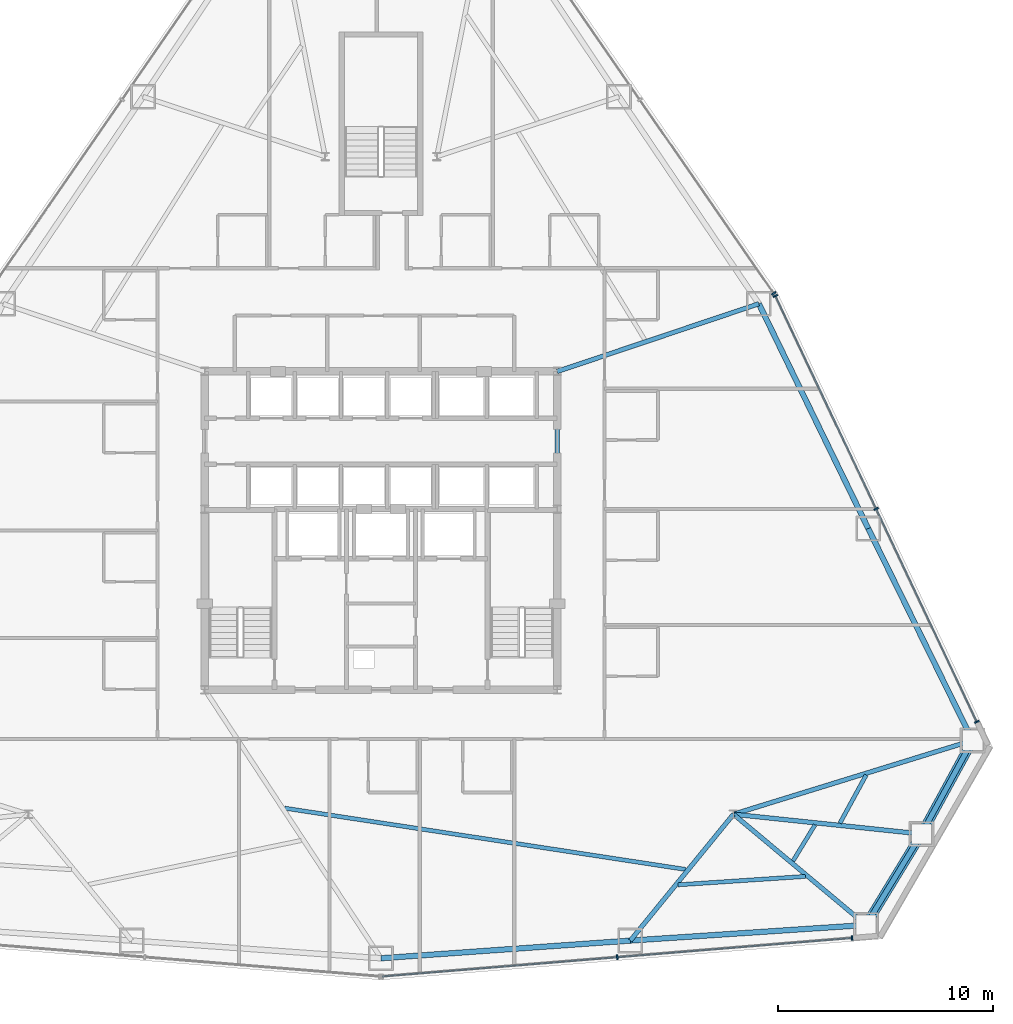
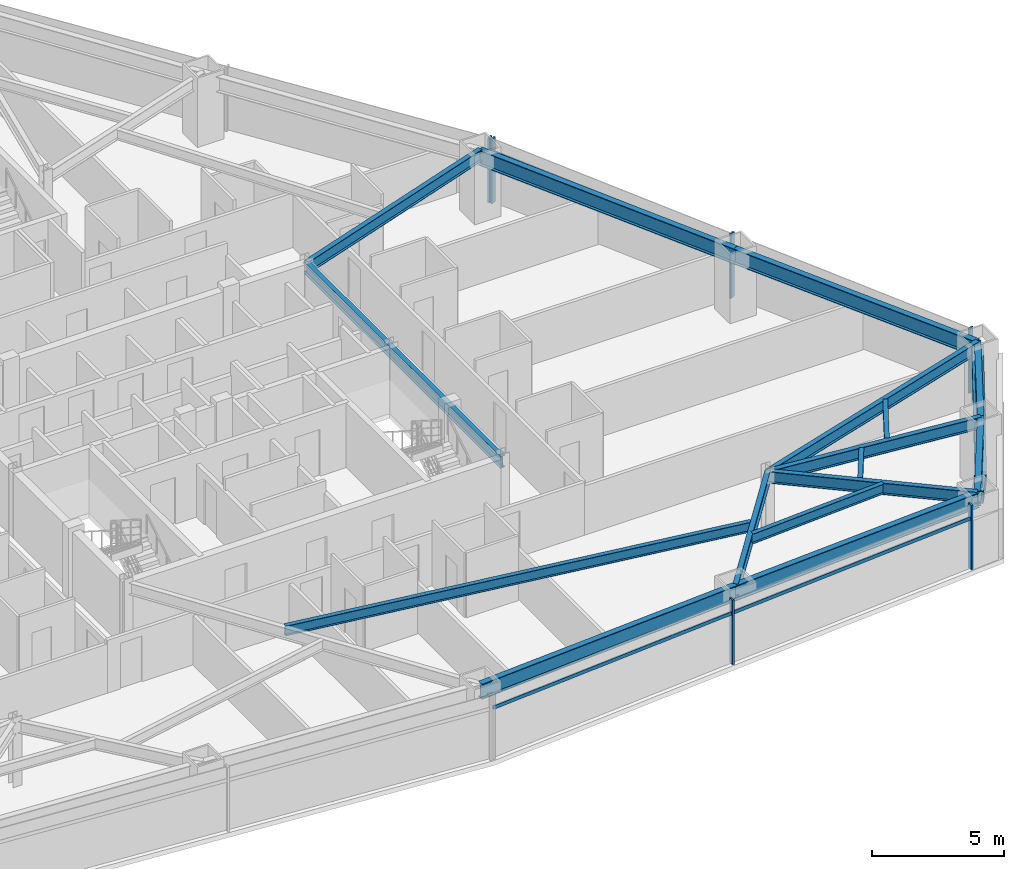
# One storey, part 6 of 13: 16 beams, 10 members, 3 elements without a shape of their own.
"""IFC4 building model written with IfcOpenShell, lengths in metres."""

from ifc_helpers import new_model, si_unit, direction, frame, origin, origin_2d, place, context, subcontext, project, spatial, rectangle, hollow_rectangle, i_section, extrude, source, transform, mapped, material, layer, layer_set, material_profile, profile_set, type_object, type_shapes, element, aggregate, save


model = new_model("IFC4")

# Units and contexts
model_context = context("Model", 3, precision=1e-05, world=origin(), true_north=direction((0.0, 1.0)))
body_context = subcontext(model_context, "Body", "Model", "MODEL_VIEW")
ifc_project = project(units=[si_unit("LENGTHUNIT", "METRE"), si_unit("AREAUNIT", "SQUARE_METRE"), si_unit("VOLUMEUNIT", "CUBIC_METRE"), si_unit("PLANEANGLEUNIT", "RADIAN"), si_unit("MASSUNIT", "GRAM", prefix="KILO")], contexts=[model_context])

# Site, building, storey
site_placement = place(None, origin())
site = spatial("IfcSite", under=ifc_project, at=site_placement, CompositionType="ELEMENT")
building_placement = place(site_placement, origin())
building = spatial("IfcBuilding", under=site, at=building_placement, Name="Varakhsha Concourse Tower", CompositionType="ELEMENT")
storey_placement = place(building_placement, frame((0.0, 0.0, 49.60009765625)))
storey = spatial("IfcBuildingStorey", under=building, at=storey_placement, Name="L13", CompositionType="ELEMENT", Elevation=49.60009765625)

# Beams
ifc_material_1 = material(Name="Structural Steel ASTM A992 Grade 50", Category="steel")
ifc_material_profile_1 = material_profile(ifc_material_1, i_section(OverallWidth=0.19091796875, OverallDepth=0.45703125, WebThickness=0.009033203125, FlangeThickness=0.013916015625, at=origin_2d()), Name="W18X50")
ifc_profile_set_1 = profile_set([ifc_material_profile_1], Name="Structural Steel ASTM A992 Grade 50")
beam_type_1 = type_object("IfcBeamType", Name="BM-JST-W18X50", PredefinedType="JOIST", material=ifc_profile_set_1)
beam_1_placement = place(storey_placement, frame((35.5166015625, 10.883056640625, 2.75146484375), z_axis=(0.988514030491, -0.151129122017, 0.0), x_axis=(0.151129122017, 0.988514030491, 0.0)))
element("IfcBeam", 1, at=beam_1_placement, inside=storey, type_object=beam_type_1, Name="BM-TJST-L13-11", PredefinedType="JOIST", context=body_context, shape_type="SweptSolid", body=[
    extrude(i_section(OverallWidth=0.19091796875, OverallDepth=0.45703125, WebThickness=0.009033203125, FlangeThickness=0.013916015625, at=origin_2d()), origin(), (0.0, 0.0, 1.0), 18.879638671875),
])
beam_2_placement = place(storey_placement, frame((53.822021484375, 7.31494140625, 2.75146484375), z_axis=(0.997817622743, 0.066030233549, 0.0), x_axis=(-0.066030233549, 0.997817622743, 0.0)))
element("IfcBeam", 2, at=beam_2_placement, inside=storey, type_object=beam_type_1, Name="BM-TJST-L13-12", PredefinedType="JOIST", context=body_context, shape_type="SweptSolid", body=[
    extrude(i_section(OverallWidth=0.19091796875, OverallDepth=0.45703125, WebThickness=0.009033203125, FlangeThickness=0.013916015625, at=origin_2d()), origin(), (0.0, 0.0, 1.0), 5.934326171875),
])
beam_3_placement = place(storey_placement, frame((59.17041015625, 8.426513671875, 2.75146484375), z_axis=(0.520412708424, 0.853914874511, 0.0), x_axis=(-0.853914874511, 0.520412708424, 0.0)))
element("IfcBeam", 3, at=beam_3_placement, inside=storey, type_object=beam_type_1, Name="BM-TJST-L13-13", PredefinedType="JOIST", context=body_context, shape_type="SweptSolid", body=[
    extrude(i_section(OverallWidth=0.19091796875, OverallDepth=0.45703125, WebThickness=0.009033203125, FlangeThickness=0.013916015625, at=origin_2d()), origin(), (0.0, 0.0, 1.0), 1.9619140625),
])
beam_4_placement = place(storey_placement, frame((61.350830078125, 10.18212890625, 2.75146484375), z_axis=(0.479380501669, 0.877607164179, 0.0), x_axis=(-0.877607164179, 0.479380501669, 0.0)))
element("IfcBeam", 4, at=beam_4_placement, inside=storey, type_object=beam_type_1, Name="BM-TJST-L13-14", PredefinedType="JOIST", context=body_context, shape_type="SweptSolid", body=[
    extrude(i_section(OverallWidth=0.19091796875, OverallDepth=0.45703125, WebThickness=0.009033203125, FlangeThickness=0.013916015625, at=origin_2d()), origin(), (0.0, 0.0, 1.0), 2.55712890625),
])
ifc_material_profile_2 = material_profile(ifc_material_1, i_section(OverallWidth=0.2109375, OverallDepth=0.5390625, WebThickness=0.011962890625, FlangeThickness=0.01904296875, at=origin_2d()), Name="W21X73")
ifc_profile_set_2 = profile_set([ifc_material_profile_2], Name="Structural Steel ASTM A992 Grade 50")
beam_type_2 = type_object("IfcBeamType", Name="BM-RAD-W21X73", PredefinedType="BEAM", material=ifc_profile_set_2)
beam_5_placement = place(storey_placement, frame((48.199951171875, 16.39990234375, 2.71044921875), z_axis=(0.0, 1.0, 0.0), x_axis=(-1.0, 0.0, 0.0)))
element("IfcBeam", 5, at=beam_5_placement, inside=storey, type_object=beam_type_2, Name="BM-TCORE-L13-CE", PredefinedType="BEAM", context=body_context, shape_type="SweptSolid", body=[
    extrude(i_section(OverallWidth=0.2109375, OverallDepth=0.5390625, WebThickness=0.011962890625, FlangeThickness=0.01904296875, at=origin_2d()), origin(), (0.0, 0.0, 1.0), 14.800048828125),
])
beam_6_placement = place(storey_placement, frame((56.39990234375, 10.60009765625, 2.71044921875), z_axis=(-0.632361519262, -0.77467342084, 0.0), x_axis=(0.77467342084, -0.632361519262, 0.0)))
element("IfcBeam", 6, at=beam_6_placement, inside=storey, type_object=beam_type_2, Name="L13 Radial Floor Girder 12", PredefinedType="BEAM", context=body_context, shape_type="SweptSolid", body=[
    extrude(i_section(OverallWidth=0.2109375, OverallDepth=0.5390625, WebThickness=0.011962890625, FlangeThickness=0.01904296875, at=origin_2d()), origin(), (0.0, 0.0, 1.0), 7.589599609375),
])
beam_7_placement = place(storey_placement, frame((56.39990234375, 10.60009765625, 2.71044921875), z_axis=(0.767329066502, -0.641253540887, 0.0), x_axis=(0.641253540887, 0.767329066502, 0.0)))
element("IfcBeam", 7, at=beam_7_placement, inside=storey, type_object=beam_type_2, Name="L13 Radial Floor Girder 13", PredefinedType="BEAM", context=body_context, shape_type="SweptSolid", body=[
    extrude(i_section(OverallWidth=0.2109375, OverallDepth=0.5390625, WebThickness=0.011962890625, FlangeThickness=0.01904296875, at=origin_2d()), origin(), (0.0, 0.0, 1.0), 8.036376953125),
])
beam_8_placement = place(storey_placement, frame((56.39990234375, 10.60009765625, 2.71044921875), z_axis=(0.994529307573, -0.104457916778, 0.0), x_axis=(0.104457916778, 0.994529307573, 0.0)))
element("IfcBeam", 8, at=beam_8_placement, inside=storey, type_object=beam_type_2, Name="L13 Radial Floor Girder 14", PredefinedType="BEAM", context=body_context, shape_type="SweptSolid", body=[
    extrude(i_section(OverallWidth=0.2109375, OverallDepth=0.5390625, WebThickness=0.011962890625, FlangeThickness=0.01904296875, at=origin_2d()), origin(), (0.0, 0.0, 1.0), 8.794921875),
])
beam_9_placement = place(storey_placement, frame((56.39990234375, 10.60009765625, 2.71044921875), z_axis=(0.955523369022, 0.294915396773, 0.0), x_axis=(-0.294915396773, 0.955523369022, 0.0)))
element("IfcBeam", 9, at=beam_9_placement, inside=storey, type_object=beam_type_2, Name="L13 Radial Floor Girder 15", PredefinedType="BEAM", context=body_context, shape_type="SweptSolid", body=[
    extrude(i_section(OverallWidth=0.2109375, OverallDepth=0.5390625, WebThickness=0.011962890625, FlangeThickness=0.01904296875, at=origin_2d()), origin(), (0.0, 0.0, 1.0), 11.641845703125),
])
beam_10_placement = place(storey_placement, frame((48.199951171875, 31.199951171875, 2.71044921875), z_axis=(0.947972870005, 0.318351123345, 0.0), x_axis=(-0.318351123345, 0.947972870005, 0.0)))
element("IfcBeam", 10, at=beam_10_placement, inside=storey, type_object=beam_type_2, Name="L13 Radial Floor Girder 17", PredefinedType="BEAM", context=body_context, shape_type="SweptSolid", body=[
    extrude(i_section(OverallWidth=0.2109375, OverallDepth=0.5390625, WebThickness=0.011962890625, FlangeThickness=0.01904296875, at=origin_2d()), origin(), (0.0, 0.0, 1.0), 9.89599609375),
])
ifc_material_profile_3 = material_profile(ifc_material_1, i_section(OverallWidth=0.25390625, OverallDepth=0.701904296875, WebThickness=0.014892578125, FlangeThickness=0.028076171875, at=origin_2d()), Name="W27X129")
ifc_profile_set_3 = profile_set([ifc_material_profile_3], Name="Structural Steel ASTM A992 Grade 50")
beam_type_3 = type_object("IfcBeamType", Name="BM-SPAN-W27X129", PredefinedType="SPANDREL", material=ifc_profile_set_3)
beam_11_placement = place(storey_placement, frame((40.0, 3.899169921875, 2.62890625), z_axis=(0.997501780615, 0.070641331168, 0.0), x_axis=(-0.070641331168, 0.997501780615, 0.0)))
element("IfcBeam", 11, at=beam_11_placement, inside=storey, type_object=beam_type_3, Name="BM-SPAN-L13-11", PredefinedType="SPANDREL", context=body_context, shape_type="SweptSolid", body=[
    extrude(i_section(OverallWidth=0.25390625, OverallDepth=0.701904296875, WebThickness=0.014892578125, FlangeThickness=0.028076171875, at=origin_2d()), origin(), (0.0, 0.0, 1.0), 11.629638671875),
])
beam_12_placement = place(storey_placement, frame((51.6005859375, 4.720703125, 2.62890625), z_axis=(0.997815134751, 0.06606782017, 0.0), x_axis=(-0.06606782017, 0.997815134751, 0.0)))
element("IfcBeam", 12, at=beam_12_placement, inside=storey, type_object=beam_type_3, Name="BM-SPAN-L13-12", PredefinedType="SPANDREL", context=body_context, shape_type="SweptSolid", body=[
    extrude(i_section(OverallWidth=0.25390625, OverallDepth=0.701904296875, WebThickness=0.014892578125, FlangeThickness=0.028076171875, at=origin_2d()), origin(), (0.0, 0.0, 1.0), 10.98974609375),
])
beam_13_placement = place(storey_placement, frame((62.56640625, 5.44677734375, 2.62890625), z_axis=(0.520348294869, 0.85395412759, 0.0), x_axis=(-0.85395412759, 0.520348294869, 0.0)))
element("IfcBeam", 13, at=beam_13_placement, inside=storey, type_object=beam_type_3, Name="BM-SPAN-L13-13", PredefinedType="SPANDREL", context=body_context, shape_type="SweptSolid", body=[
    extrude(i_section(OverallWidth=0.25390625, OverallDepth=0.701904296875, WebThickness=0.014892578125, FlangeThickness=0.028076171875, at=origin_2d()), origin(), (0.0, 0.0, 1.0), 4.958740234375),
])
beam_14_placement = place(storey_placement, frame((65.146728515625, 9.681396484375, 2.62890625), z_axis=(0.479372903145, 0.877611314723, 0.0), x_axis=(-0.877611314723, 0.479372903145, 0.0)))
element("IfcBeam", 14, at=beam_14_placement, inside=storey, type_object=beam_type_3, Name="BM-SPAN-L13-14", PredefinedType="SPANDREL", context=body_context, shape_type="SweptSolid", body=[
    extrude(i_section(OverallWidth=0.25390625, OverallDepth=0.701904296875, WebThickness=0.014892578125, FlangeThickness=0.028076171875, at=origin_2d()), origin(), (0.0, 0.0, 1.0), 4.958984375),
])
beam_15_placement = place(storey_placement, frame((67.52392578125, 14.033447265625, 2.62890625), z_axis=(-0.441677973031, 0.897173655509, 0.0), x_axis=(-0.897173655509, -0.441677973031, 0.0)))
element("IfcBeam", 15, at=beam_15_placement, inside=storey, type_object=beam_type_3, Name="BM-SPAN-L13-15", PredefinedType="SPANDREL", context=body_context, shape_type="SweptSolid", body=[
    extrude(i_section(OverallWidth=0.25390625, OverallDepth=0.701904296875, WebThickness=0.014892578125, FlangeThickness=0.028076171875, at=origin_2d()), origin(), (0.0, 0.0, 1.0), 10.989990234375),
])
beam_16_placement = place(storey_placement, frame((62.669921875, 23.893310546875, 2.62890625), z_axis=(-0.437581332588, 0.899178835032, 0.0), x_axis=(-0.899178835032, -0.437581332588, 0.0)))
element("IfcBeam", 16, at=beam_16_placement, inside=storey, type_object=beam_type_3, Name="BM-SPAN-L13-16", PredefinedType="SPANDREL", context=body_context, shape_type="SweptSolid", body=[
    extrude(i_section(OverallWidth=0.25390625, OverallDepth=0.701904296875, WebThickness=0.014892578125, FlangeThickness=0.028076171875, at=origin_2d()), origin(), (0.0, 0.0, 1.0), 11.629638671875),
])

# Members
ifc_material_2 = material(Name="Structural Steel ASTM A500 Grade C", Category="steel")
ifc_material_profile_4 = material_profile(ifc_material_2, hollow_rectangle(XDim=0.449951171875, YDim=0.449951171875, WallThickness=0.01904296875, at=origin_2d()), Name="HSS 450x450x19")
ifc_profile_set_4 = profile_set([ifc_material_profile_4], Name="Structural Steel ASTM A500 Grade C")
member_type_1 = type_object("IfcMemberType", Name="MB-TUBE-HSS450", PredefinedType="BRACE", material=ifc_profile_set_4)
shared_shape_1 = source(origin(), body_context, "Body", "SweptSolid", [
    extrude(hollow_rectangle(XDim=0.449951171875, YDim=0.449951171875, WallThickness=0.01904296875, at=origin_2d()), origin(), (0.0, 0.0, 1.0), 5.580810546875),
])
member_1_placement = place(storey_placement, frame((65.146728515625, 9.681396484375, 0.119873046875), z_axis=(0.425960053824, 0.77982581077, 0.458726211811), x_axis=(-0.877611314723, 0.479372903145, 0.0)))
element("IfcMember", 17, at=member_1_placement, inside=storey, type_object=member_type_1, Name="L13 Wind-Corner Tube Brace B06", PredefinedType="BRACE", context=body_context, shape_type="MappedRepresentation", body=[
    mapped(shared_shape_1, transform((0.0, 0.0, 0.0), scale=1.0)),
])
shared_shape_2 = source(origin(), body_context, "Body", "SweptSolid", [
    extrude(hollow_rectangle(XDim=0.449951171875, YDim=0.449951171875, WallThickness=0.01904296875, at=origin_2d()), origin(), (0.0, 0.0, 1.0), 5.58056640625),
])
type_shapes(member_type_1, [shared_shape_1, shared_shape_2])
member_2_placement = place(storey_placement, frame((65.146728515625, 9.681396484375, 0.119873046875), z_axis=(-0.462367199705, -0.758800177773, 0.458736158209), x_axis=(0.85395412759, -0.520348294869, 0.0)))
element("IfcMember", 18, at=member_2_placement, inside=storey, type_object=member_type_1, Name="L13 Wind-Corner Tube Brace B05", PredefinedType="BRACE", context=body_context, shape_type="MappedRepresentation", body=[
    mapped(shared_shape_2, transform((0.0, 0.0, 0.0), scale=1.0)),
])

# Curtain wall, members
ifc_material_3 = material(Name="Anodised Bronze Architectural Aluminium AA 6063-T6", Category="aluminium")
ifc_layer = layer(ifc_material_3, 0.219970703125, Name="CW-SYS-02")
ifc_layer_set = layer_set([ifc_layer], Name="Anodised Bronze Architectural Aluminium AA 6063-T6")
curtain_wall_type = type_object("IfcCurtainWallType", Name="CW-SYS-02", PredefinedType="NOTDEFINED", material=ifc_layer_set)
curtain_wall_1_placement = place(storey_placement, origin())
curtain_wall_1 = element("IfcCurtainWall", 19, at=curtain_wall_1_placement, inside=storey, type_object=curtain_wall_type, Name="L13 Crystal Curtain Wall F6", PredefinedType="NOTDEFINED")
ifc_material_profile_5 = material_profile(ifc_material_3, rectangle(XDim=0.074951171875, YDim=0.219970703125, at=origin_2d()), Name="CWM-220X75")
ifc_profile_set_5 = profile_set([ifc_material_profile_5], Name="Anodised Bronze Architectural Aluminium AA 6063-T6")
member_type_2 = type_object("IfcMemberType", Name="CWM-220X75", PredefinedType="MULLION", material=ifc_profile_set_5)
shared_shape_3 = source(origin(), body_context, "Body", "SweptSolid", [
    extrude(rectangle(XDim=0.074951171875, YDim=0.219970703125, at=origin_2d()), origin(), (0.0, 0.0, 1.0), 2.97998046875),
])
type_shapes(member_type_2, [shared_shape_3])
member_3_placement = place(storey_placement, frame((61.91650390625, 4.843505859375, 0.0), z_axis=(0.0, 0.0, 1.0), x_axis=(-0.996659944452, -0.081663670777, 0.0)))
member_3 = element("IfcMember", 20, at=member_3_placement, type_object=member_type_2, Name="CW-L13-F6 Mullion 00", PredefinedType="MULLION", context=body_context, shape_type="MappedRepresentation", body=[
    mapped(shared_shape_3, transform((0.0, 0.0, 0.0), scale=1.0)),
])
member_4_placement = place(storey_placement, frame((50.99169921875, 3.948486328125, 0.0), z_axis=(0.0, 0.0, 1.0), x_axis=(-0.996659944452, -0.081663670777, 0.0)))
member_4 = element("IfcMember", 21, at=member_4_placement, type_object=member_type_2, Name="CW-L13-F6 Mullion 01", PredefinedType="MULLION", context=body_context, shape_type="MappedRepresentation", body=[
    mapped(shared_shape_3, transform((0.0, 0.0, 0.0), scale=1.0)),
])

curtain_wall_2_placement = place(storey_placement, origin())
curtain_wall_2 = element("IfcCurtainWall", 22, at=curtain_wall_2_placement, inside=storey, type_object=curtain_wall_type, Name="L13 Crystal Curtain Wall F8", PredefinedType="NOTDEFINED")
member_5_placement = place(storey_placement, frame((58.34716796875, 34.7158203125, 0.0), z_axis=(0.0, 0.0, 1.0), x_axis=(0.427604003332, -0.903966158844, 0.0)))
member_5 = element("IfcMember", 23, at=member_5_placement, type_object=member_type_2, Name="CW-L13-F8 Mullion 00", PredefinedType="MULLION", context=body_context, shape_type="MappedRepresentation", body=[
    mapped(shared_shape_3, transform((0.0, 0.0, 0.0), scale=1.0)),
])
member_6_placement = place(storey_placement, frame((63.0341796875, 24.806884765625, 0.0), z_axis=(0.0, 0.0, 1.0), x_axis=(0.427604003332, -0.903966158844, 0.0)))
member_6 = element("IfcMember", 24, at=member_6_placement, type_object=member_type_2, Name="CW-L13-F8 Mullion 01", PredefinedType="MULLION", context=body_context, shape_type="MappedRepresentation", body=[
    mapped(shared_shape_3, transform((0.0, 0.0, 0.0), scale=1.0)),
])
member_7_placement = place(storey_placement, frame((67.721435546875, 14.898193359375, 0.0), z_axis=(0.0, 0.0, 1.0), x_axis=(0.427604003332, -0.903966158844, 0.0)))
member_7 = element("IfcMember", 25, at=member_7_placement, type_object=member_type_2, Name="CW-L13-F8 Mullion 02", PredefinedType="MULLION", context=body_context, shape_type="MappedRepresentation", body=[
    mapped(shared_shape_3, transform((0.0, 0.0, 0.0), scale=1.0)),
])

# Curtain wall, member
curtain_wall_3_placement = place(storey_placement, origin())
curtain_wall_3 = element("IfcCurtainWall", 26, at=curtain_wall_3_placement, inside=storey, type_object=curtain_wall_type, Name="L13 Crystal Curtain Wall F9", PredefinedType="NOTDEFINED")
member_8_placement = place(storey_placement, frame((58.280517578125, 34.8310546875, 0.0), z_axis=(0.0, 0.0, 1.0), x_axis=(0.569057091236, -0.822298015877, 0.0)))
member_8 = element("IfcMember", 27, at=member_8_placement, type_object=member_type_2, Name="CW-L13-F9 Mullion 02", PredefinedType="MULLION", context=body_context, shape_type="MappedRepresentation", body=[
    mapped(shared_shape_3, transform((0.0, 0.0, 0.0), scale=1.0)),
])
aggregate(curtain_wall_3, [member_8])

# Member
ifc_material_profile_6 = material_profile(ifc_material_3, rectangle(XDim=0.06494140625, YDim=0.159912109375, at=origin_2d()), Name="CWT-160X65")
ifc_profile_set_6 = profile_set([ifc_material_profile_6], Name="Anodised Bronze Architectural Aluminium AA 6063-T6")
member_type_3 = type_object("IfcMemberType", Name="CWT-160X65", PredefinedType="USERDEFINED", material=ifc_profile_set_6)
shared_shape_4 = source(origin(), body_context, "Body", "SweptSolid", [
    extrude(rectangle(XDim=0.06494140625, YDim=0.159912109375, at=origin_2d()), origin(), (0.0, 0.0, 1.0), 21.923095703125),
])
member_9_placement = place(storey_placement, frame((61.91650390625, 4.843505859375, 2.329833984375), z_axis=(-0.996660077382, -0.08166204842, 0.0), x_axis=(0.08166204842, -0.996660077382, 0.0)))
member_9 = element("IfcMember", 28, at=member_9_placement, type_object=member_type_3, Name="CW-L13-F6 Transom 01", ObjectType="TRANSOM", PredefinedType="USERDEFINED", context=body_context, shape_type="MappedRepresentation", body=[
    mapped(shared_shape_4, transform((0.0, 0.0, 0.0), scale=1.0)),
])

aggregate(curtain_wall_1, [member_3, member_4, member_9])

shared_shape_5 = source(origin(), body_context, "Body", "SweptSolid", [
    extrude(rectangle(XDim=0.06494140625, YDim=0.159912109375, at=origin_2d()), origin(), (0.0, 0.0, 1.0), 21.9228515625),
])
type_shapes(member_type_3, [shared_shape_4, shared_shape_5])
member_10_placement = place(storey_placement, frame((58.34716796875, 34.7158203125, 2.329833984375), z_axis=(0.427600870916, -0.903967640567, 0.0), x_axis=(0.903967640567, 0.427600870916, 0.0)))
member_10 = element("IfcMember", 29, at=member_10_placement, type_object=member_type_3, Name="CW-L13-F8 Transom 01", ObjectType="TRANSOM", PredefinedType="USERDEFINED", context=body_context, shape_type="MappedRepresentation", body=[
    mapped(shared_shape_5, transform((0.0, 0.0, 0.0), scale=1.0)),
])

aggregate(curtain_wall_2, [member_5, member_6, member_7, member_10])

save(model, "model.ifc")
